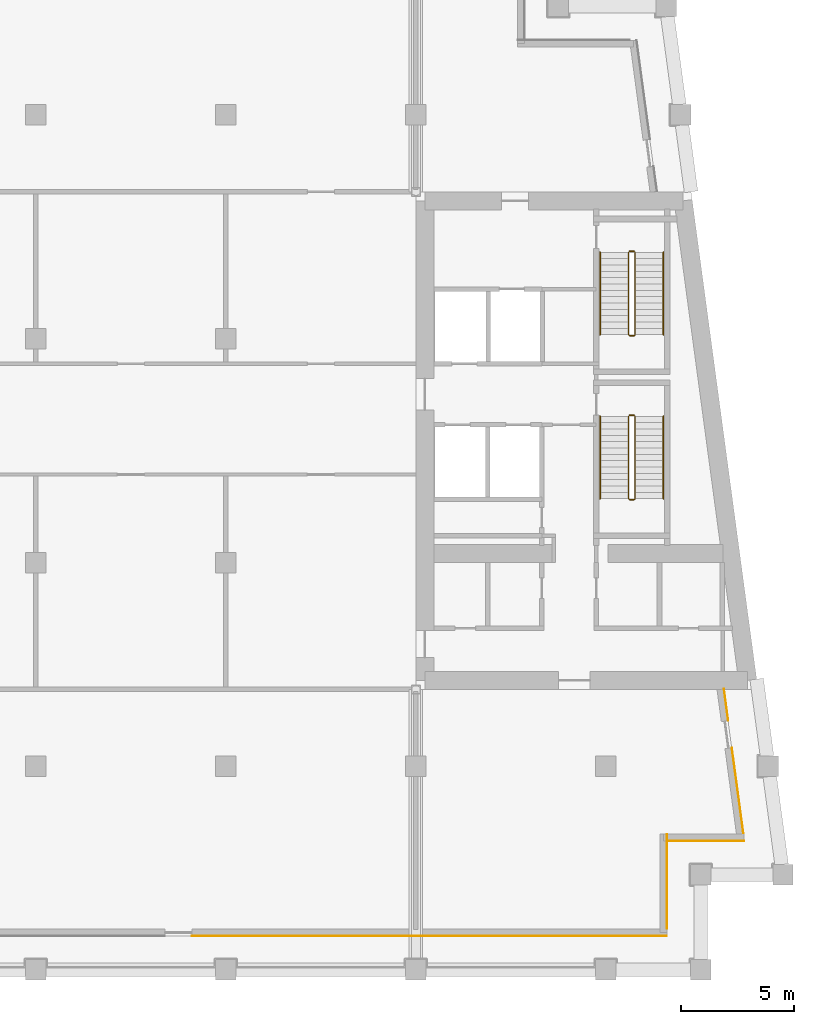
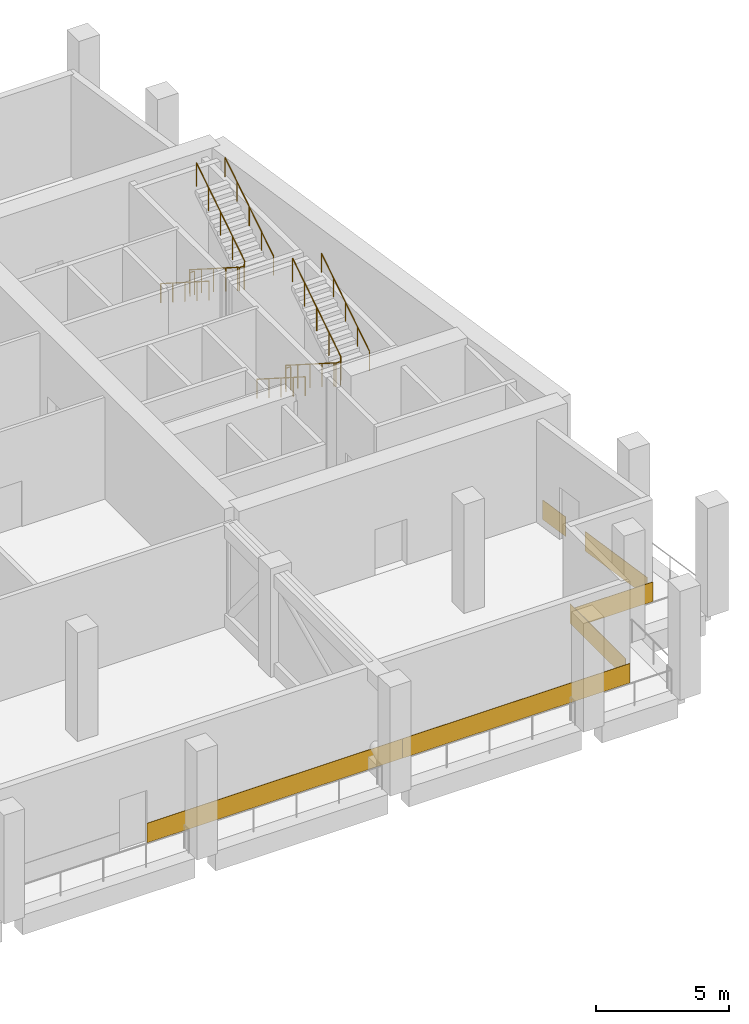
# One storey, part 10 of 11: 8 railings, 6 coverings.
"""IFC4 building model written with IfcOpenShell, lengths in metres."""

from ifc_helpers import new_model, si_unit, direction, frame, origin, origin_2d, place, context, subcontext, project, spatial, rectangle, circle, extrude, material, layer, layer_set, type_object, element, save


model = new_model("IFC4")

# Units and contexts
model_context = context("Model", 3, precision=1e-05, world=origin(), true_north=direction((0.0, 1.0)))
body_context = subcontext(model_context, "Body", "Model", "MODEL_VIEW")
ifc_project = project(units=[si_unit("LENGTHUNIT", "METRE"), si_unit("AREAUNIT", "SQUARE_METRE"), si_unit("VOLUMEUNIT", "CUBIC_METRE"), si_unit("PLANEANGLEUNIT", "RADIAN"), si_unit("MASSUNIT", "GRAM", prefix="KILO")], contexts=[model_context])

# Site, building, storey
site_placement = place(None, origin())
site = spatial("IfcSite", under=ifc_project, at=site_placement, CompositionType="ELEMENT")
building_placement = place(site_placement, origin())
building = spatial("IfcBuilding", under=site, at=building_placement, Name="Candeia Pilgrim Tower and Theatre", CompositionType="ELEMENT")
storey_placement = place(building_placement, frame((0.0, 0.0, 254.0)))
storey = spatial("IfcBuildingStorey", under=building, at=storey_placement, Name="L61", CompositionType="ELEMENT", Elevation=254.0)

# Coverings
ifc_material_1 = material(Name="Glazed ceramic tile bottle green")
ifc_layer_1 = layer(ifc_material_1, 0.02001953125)
ifc_layer_set_1 = layer_set([ifc_layer_1], Name="Glazed ceramic tile bottle green")
covering_type_1 = type_object("IfcCoveringType", Name="Glazed ceramic tile bottle green", PredefinedType="CLADDING", material=ifc_layer_set_1)
covering_1_placement = place(storey_placement, frame((132.14990234375, 99.489990234375, 0.0), z_axis=(0.0, 0.0, 1.0), x_axis=(1.0, 0.0, 0.0)))
element("IfcCovering", 1, at=covering_1_placement, inside=storey, type_object=covering_type_1, Name="Tile cladding bottle green L61", PredefinedType="CLADDING", context=body_context, shape_type="SweptSolid", body=[
    extrude(rectangle(XDim=9.89990234375, YDim=0.02001953125, at=origin_2d()), origin(), (0.0, 0.0, 1.0), 0.89990234375),
])
covering_2_placement = place(storey_placement, frame((137.110107421875, 101.909912109375, 0.0), z_axis=(0.0, 0.0, 1.0), x_axis=(0.0, 1.0, 0.0)))
element("IfcCovering", 2, at=covering_2_placement, inside=storey, type_object=covering_type_1, Name="Tile cladding bottle green L61", PredefinedType="CLADDING", context=body_context, shape_type="SweptSolid", body=[
    extrude(rectangle(XDim=4.179931640625, YDim=0.02001953125, at=origin_2d()), origin(), (0.0, 0.0, 1.0), 0.89990234375),
])
covering_3_placement = place(storey_placement, frame((138.819580078125, 103.68994140625, 0.0), z_axis=(0.0, 0.0, 1.0), x_axis=(1.0, 0.0, 0.0)))
element("IfcCovering", 3, at=covering_3_placement, inside=storey, type_object=covering_type_1, Name="Tile cladding bottle green L61", PredefinedType="CLADDING", context=body_context, shape_type="SweptSolid", body=[
    extrude(rectangle(XDim=3.399169921875, YDim=0.02001953125, at=origin_2d()), origin(), (0.0, 0.0, 1.0), 0.89990234375),
])
covering_4_placement = place(storey_placement, frame((140.228515625, 105.933349609375, 0.0), z_axis=(0.0, 0.0, 1.0), x_axis=(-0.133412012145, 0.991060661622, 0.0)))
element("IfcCovering", 4, at=covering_4_placement, inside=storey, type_object=covering_type_1, Name="Tile cladding bottle green L61", PredefinedType="CLADDING", context=body_context, shape_type="SweptSolid", body=[
    extrude(rectangle(XDim=3.821044921875, YDim=0.02001953125, at=origin_2d()), origin(), (0.0, 0.0, 1.0), 0.89990234375),
])
covering_5_placement = place(storey_placement, frame((139.718994140625, 109.71875, 0.0), z_axis=(0.0, 0.0, 1.0), x_axis=(-0.133412012145, 0.991060661622, 0.0)))
element("IfcCovering", 5, at=covering_5_placement, inside=storey, type_object=covering_type_1, Name="Tile cladding bottle green L61", PredefinedType="CLADDING", context=body_context, shape_type="SweptSolid", body=[
    extrude(rectangle(XDim=1.41796875, YDim=0.02001953125, at=origin_2d()), origin(), (0.0, 0.0, 1.0), 0.89990234375),
])
ifc_material_2 = material(Name="Glazed ceramic tile rust")
ifc_layer_2 = layer(ifc_material_2, 0.02001953125)
ifc_layer_set_2 = layer_set([ifc_layer_2], Name="Glazed ceramic tile rust")
covering_type_2 = type_object("IfcCoveringType", Name="Glazed ceramic tile rust", PredefinedType="CLADDING", material=ifc_layer_set_2)
covering_6_placement = place(storey_placement, frame((121.64990234375, 99.489990234375, 0.0), z_axis=(0.0, 0.0, 1.0), x_axis=(1.0, 0.0, 0.0)))
element("IfcCovering", 6, at=covering_6_placement, inside=storey, type_object=covering_type_2, Name="Tile cladding rust L61", PredefinedType="CLADDING", context=body_context, shape_type="SweptSolid", body=[
    extrude(rectangle(XDim=11.10009765625, YDim=0.02001953125, at=origin_2d()), origin(), (0.0, 0.0, 1.0), 0.89990234375),
])

# Railings
ifc_material_3 = material(Name="Stainless steel balustrade", Category="steel")
railing_type_1 = type_object("IfcRailingType", Name="RL-GUARD-1100", PredefinedType="GUARDRAIL", material=ifc_material_3)
railing_1_placement = place(storey_placement, frame((135.39794921875, 122.47509765625, 0.178466796875)))
element("IfcRailing", 7, at=railing_1_placement, inside=storey, type_object=railing_type_1, Name="L61 ST3 stair guard 1", PredefinedType="GUARDRAIL", context=body_context, shape_type="SweptSolid", body=[
    extrude(circle(Radius=0.02392578125, at=origin_2d()), frame((0.0, 0.0, 1.076171875), z_axis=(0.0, -0.843127859045, 0.537713132908), x_axis=(1.0, 0.0, 0.0)), (0.0, 0.0, 1.0), 4.3173828125),
    extrude(circle(Radius=0.02392578125, at=origin_2d()), frame((0.0, -3.64013671875, 3.3974609375), z_axis=(0.707106781187, -0.707106781187, 0.0), x_axis=(0.707106781187, 0.707106781187, 0.0)), (0.0, 0.0, 1.0), 0.07080078125),
    extrude(circle(Radius=0.02392578125, at=origin_2d()), frame((0.050048828125, -3.690185546875, 3.3974609375), z_axis=(1.0, 0.0, 0.0), x_axis=(0.0, 1.0, 0.0)), (0.0, 0.0, 1.0), 0.199951171875),
    extrude(circle(Radius=0.02392578125, at=origin_2d()), frame((0.25, -3.690185546875, 3.3974609375), z_axis=(0.260684529273, 0.260684529273, 0.929562882432), x_axis=(-0.707106781187, 0.707106781187, 0.0)), (0.0, 0.0, 1.0), 0.19189453125),
    extrude(circle(Radius=0.02392578125, at=origin_2d()), frame((0.300048828125, -3.64013671875, 3.576171875), z_axis=(0.0, 0.843127859045, 0.537713132908), x_axis=(-1.0, 0.0, 0.0)), (0.0, 0.0, 1.0), 4.3173828125),
    extrude(circle(Radius=0.02099609375, at=origin_2d()), origin(), (0.0, 0.0, 1.0), 1.052001953125),
    extrude(circle(Radius=0.02099609375, at=origin_2d()), frame((0.0, -0.91015625, 0.580322265625)), (0.0, 0.0, 1.0), 1.052001953125),
    extrude(circle(Radius=0.02099609375, at=origin_2d()), frame((0.0, -1.820068359375, 1.16064453125)), (0.0, 0.0, 1.0), 1.052001953125),
    extrude(circle(Radius=0.02099609375, at=origin_2d()), frame((0.0, -2.72998046875, 1.7412109375)), (0.0, 0.0, 1.0), 1.052001953125),
    extrude(circle(Radius=0.02099609375, at=origin_2d()), frame((0.0, -3.64013671875, 2.321533203125)), (0.0, 0.0, 1.0), 1.052001953125),
    extrude(circle(Radius=0.02099609375, at=origin_2d()), frame((0.050048828125, -3.690185546875, 2.321533203125)), (0.0, 0.0, 1.0), 1.052001953125),
    extrude(circle(Radius=0.02099609375, at=origin_2d()), frame((0.25, -3.690185546875, 2.321533203125)), (0.0, 0.0, 1.0), 1.052001953125),
    extrude(circle(Radius=0.02099609375, at=origin_2d()), frame((0.300048828125, -3.64013671875, 2.5)), (0.0, 0.0, 1.0), 1.052001953125),
    extrude(circle(Radius=0.02099609375, at=origin_2d()), frame((0.300048828125, -2.72998046875, 3.080322265625)), (0.0, 0.0, 1.0), 1.052001953125),
    extrude(circle(Radius=0.02099609375, at=origin_2d()), frame((0.300048828125, -1.820068359375, 3.66064453125)), (0.0, 0.0, 1.0), 1.052001953125),
    extrude(circle(Radius=0.02099609375, at=origin_2d()), frame((0.300048828125, -0.91015625, 4.2412109375)), (0.0, 0.0, 1.0), 1.052001953125),
    extrude(circle(Radius=0.02099609375, at=origin_2d()), frame((0.300048828125, 0.0, 4.821533203125)), (0.0, 0.0, 1.0), 1.052001953125),
])
railing_2_placement = place(storey_placement, frame((135.447998046875, 122.52490234375, 0.0)))
element("IfcRailing", 8, at=railing_2_placement, inside=storey, type_object=railing_type_1, Name="L61 ST3 stair guard 2", PredefinedType="GUARDRAIL", context=body_context, shape_type="SweptSolid", body=[
    extrude(circle(Radius=0.02392578125, at=origin_2d()), frame((0.0, 0.0, 1.076171875), z_axis=(1.0, 0.0, 0.0), x_axis=(0.0, 1.0, 0.0)), (0.0, 0.0, 1.0), 0.199951171875),
    extrude(circle(Radius=0.02099609375, at=origin_2d()), origin(), (0.0, 0.0, 1.0), 1.052001953125),
    extrude(circle(Radius=0.02099609375, at=origin_2d()), frame((0.199951171875, 0.0, 0.0)), (0.0, 0.0, 1.0), 1.052001953125),
])
railing_3_placement = place(storey_placement, frame((135.39794921875, 129.72509765625, 0.178466796875)))
element("IfcRailing", 9, at=railing_3_placement, inside=storey, type_object=railing_type_1, Name="L61 ST4 stair guard 1", PredefinedType="GUARDRAIL", context=body_context, shape_type="SweptSolid", body=[
    extrude(circle(Radius=0.02392578125, at=origin_2d()), frame((0.0, 0.0, 1.076171875), z_axis=(0.0, -0.843127859045, 0.537713132908), x_axis=(1.0, 0.0, 0.0)), (0.0, 0.0, 1.0), 4.3173828125),
    extrude(circle(Radius=0.02392578125, at=origin_2d()), frame((0.0, -3.64013671875, 3.3974609375), z_axis=(0.707106781187, -0.707106781187, 0.0), x_axis=(0.707106781187, 0.707106781187, 0.0)), (0.0, 0.0, 1.0), 0.07080078125),
    extrude(circle(Radius=0.02392578125, at=origin_2d()), frame((0.050048828125, -3.690185546875, 3.3974609375), z_axis=(1.0, 0.0, 0.0), x_axis=(0.0, 1.0, 0.0)), (0.0, 0.0, 1.0), 0.199951171875),
    extrude(circle(Radius=0.02392578125, at=origin_2d()), frame((0.25, -3.690185546875, 3.3974609375), z_axis=(0.260684529273, 0.260684529273, 0.929562882432), x_axis=(-0.707106781187, 0.707106781187, 0.0)), (0.0, 0.0, 1.0), 0.19189453125),
    extrude(circle(Radius=0.02392578125, at=origin_2d()), frame((0.300048828125, -3.64013671875, 3.576171875), z_axis=(0.0, 0.843127859045, 0.537713132908), x_axis=(-1.0, 0.0, 0.0)), (0.0, 0.0, 1.0), 4.3173828125),
    extrude(circle(Radius=0.02099609375, at=origin_2d()), origin(), (0.0, 0.0, 1.0), 1.052001953125),
    extrude(circle(Radius=0.02099609375, at=origin_2d()), frame((0.0, -0.91015625, 0.580322265625)), (0.0, 0.0, 1.0), 1.052001953125),
    extrude(circle(Radius=0.02099609375, at=origin_2d()), frame((0.0, -1.820068359375, 1.16064453125)), (0.0, 0.0, 1.0), 1.052001953125),
    extrude(circle(Radius=0.02099609375, at=origin_2d()), frame((0.0, -2.72998046875, 1.7412109375)), (0.0, 0.0, 1.0), 1.052001953125),
    extrude(circle(Radius=0.02099609375, at=origin_2d()), frame((0.0, -3.64013671875, 2.321533203125)), (0.0, 0.0, 1.0), 1.052001953125),
    extrude(circle(Radius=0.02099609375, at=origin_2d()), frame((0.050048828125, -3.690185546875, 2.321533203125)), (0.0, 0.0, 1.0), 1.052001953125),
    extrude(circle(Radius=0.02099609375, at=origin_2d()), frame((0.25, -3.690185546875, 2.321533203125)), (0.0, 0.0, 1.0), 1.052001953125),
    extrude(circle(Radius=0.02099609375, at=origin_2d()), frame((0.300048828125, -3.64013671875, 2.5)), (0.0, 0.0, 1.0), 1.052001953125),
    extrude(circle(Radius=0.02099609375, at=origin_2d()), frame((0.300048828125, -2.72998046875, 3.080322265625)), (0.0, 0.0, 1.0), 1.052001953125),
    extrude(circle(Radius=0.02099609375, at=origin_2d()), frame((0.300048828125, -1.820068359375, 3.66064453125)), (0.0, 0.0, 1.0), 1.052001953125),
    extrude(circle(Radius=0.02099609375, at=origin_2d()), frame((0.300048828125, -0.91015625, 4.2412109375)), (0.0, 0.0, 1.0), 1.052001953125),
    extrude(circle(Radius=0.02099609375, at=origin_2d()), frame((0.300048828125, 0.0, 4.821533203125)), (0.0, 0.0, 1.0), 1.052001953125),
])
railing_4_placement = place(storey_placement, frame((135.447998046875, 129.77490234375, 0.0)))
element("IfcRailing", 10, at=railing_4_placement, inside=storey, type_object=railing_type_1, Name="L61 ST4 stair guard 2", PredefinedType="GUARDRAIL", context=body_context, shape_type="SweptSolid", body=[
    extrude(circle(Radius=0.02392578125, at=origin_2d()), frame((0.0, 0.0, 1.076171875), z_axis=(1.0, 0.0, 0.0), x_axis=(0.0, 1.0, 0.0)), (0.0, 0.0, 1.0), 0.199951171875),
    extrude(circle(Radius=0.02099609375, at=origin_2d()), origin(), (0.0, 0.0, 1.0), 1.052001953125),
    extrude(circle(Radius=0.02099609375, at=origin_2d()), frame((0.199951171875, 0.0, 0.0)), (0.0, 0.0, 1.0), 1.052001953125),
])
ifc_material_4 = material(Name="Stainless steel handrail", Category="steel")
railing_type_2 = type_object("IfcRailingType", Name="RL-HANDRAIL-900", PredefinedType="HANDRAIL", material=ifc_material_4)
railing_5_placement = place(storey_placement, frame((134.14794921875, 122.47509765625, 0.178466796875)))
element("IfcRailing", 11, at=railing_5_placement, inside=storey, type_object=railing_type_2, Name="L61 ST3 stair handrail 1", PredefinedType="HANDRAIL", context=body_context, shape_type="SweptSolid", body=[
    extrude(circle(Radius=0.02392578125, at=origin_2d()), frame((0.0, 0.0, 0.8759765625), z_axis=(0.0, -0.843127859045, 0.537713132908), x_axis=(1.0, 0.0, 0.0)), (0.0, 0.0, 1.0), 4.3173828125),
    extrude(circle(Radius=0.02099609375, at=origin_2d()), origin(), (0.0, 0.0, 1.0), 0.851806640625),
    extrude(circle(Radius=0.02099609375, at=origin_2d()), frame((0.0, -0.91015625, 0.580322265625)), (0.0, 0.0, 1.0), 0.851806640625),
    extrude(circle(Radius=0.02099609375, at=origin_2d()), frame((0.0, -1.820068359375, 1.16064453125)), (0.0, 0.0, 1.0), 0.851806640625),
    extrude(circle(Radius=0.02099609375, at=origin_2d()), frame((0.0, -2.72998046875, 1.7412109375)), (0.0, 0.0, 1.0), 0.851806640625),
    extrude(circle(Radius=0.02099609375, at=origin_2d()), frame((0.0, -3.64013671875, 2.321533203125)), (0.0, 0.0, 1.0), 0.851806640625),
])
railing_6_placement = place(storey_placement, frame((136.947998046875, 118.8349609375, 2.678466796875)))
element("IfcRailing", 12, at=railing_6_placement, inside=storey, type_object=railing_type_2, Name="L61 ST3 stair handrail 2", PredefinedType="HANDRAIL", context=body_context, shape_type="SweptSolid", body=[
    extrude(circle(Radius=0.02392578125, at=origin_2d()), frame((0.0, 0.0, 0.8759765625), z_axis=(0.0, 0.843127859045, 0.537713132908), x_axis=(-1.0, 0.0, 0.0)), (0.0, 0.0, 1.0), 4.3173828125),
    extrude(circle(Radius=0.02099609375, at=origin_2d()), origin(), (0.0, 0.0, 1.0), 0.851806640625),
    extrude(circle(Radius=0.02099609375, at=origin_2d()), frame((0.0, 0.91015625, 0.580322265625)), (0.0, 0.0, 1.0), 0.851806640625),
    extrude(circle(Radius=0.02099609375, at=origin_2d()), frame((0.0, 1.820068359375, 1.16064453125)), (0.0, 0.0, 1.0), 0.851806640625),
    extrude(circle(Radius=0.02099609375, at=origin_2d()), frame((0.0, 2.72998046875, 1.7412109375)), (0.0, 0.0, 1.0), 0.851806640625),
    extrude(circle(Radius=0.02099609375, at=origin_2d()), frame((0.0, 3.64013671875, 2.321533203125)), (0.0, 0.0, 1.0), 0.851806640625),
])
railing_7_placement = place(storey_placement, frame((134.14794921875, 129.72509765625, 0.178466796875)))
element("IfcRailing", 13, at=railing_7_placement, inside=storey, type_object=railing_type_2, Name="L61 ST4 stair handrail 1", PredefinedType="HANDRAIL", context=body_context, shape_type="SweptSolid", body=[
    extrude(circle(Radius=0.02392578125, at=origin_2d()), frame((0.0, 0.0, 0.8759765625), z_axis=(0.0, -0.843127859045, 0.537713132908), x_axis=(1.0, 0.0, 0.0)), (0.0, 0.0, 1.0), 4.3173828125),
    extrude(circle(Radius=0.02099609375, at=origin_2d()), origin(), (0.0, 0.0, 1.0), 0.851806640625),
    extrude(circle(Radius=0.02099609375, at=origin_2d()), frame((0.0, -0.91015625, 0.580322265625)), (0.0, 0.0, 1.0), 0.851806640625),
    extrude(circle(Radius=0.02099609375, at=origin_2d()), frame((0.0, -1.820068359375, 1.16064453125)), (0.0, 0.0, 1.0), 0.851806640625),
    extrude(circle(Radius=0.02099609375, at=origin_2d()), frame((0.0, -2.72998046875, 1.7412109375)), (0.0, 0.0, 1.0), 0.851806640625),
    extrude(circle(Radius=0.02099609375, at=origin_2d()), frame((0.0, -3.64013671875, 2.321533203125)), (0.0, 0.0, 1.0), 0.851806640625),
])
railing_8_placement = place(storey_placement, frame((136.947998046875, 126.0849609375, 2.678466796875)))
element("IfcRailing", 14, at=railing_8_placement, inside=storey, type_object=railing_type_2, Name="L61 ST4 stair handrail 2", PredefinedType="HANDRAIL", context=body_context, shape_type="SweptSolid", body=[
    extrude(circle(Radius=0.02392578125, at=origin_2d()), frame((0.0, 0.0, 0.8759765625), z_axis=(0.0, 0.843127859045, 0.537713132908), x_axis=(-1.0, 0.0, 0.0)), (0.0, 0.0, 1.0), 4.3173828125),
    extrude(circle(Radius=0.02099609375, at=origin_2d()), origin(), (0.0, 0.0, 1.0), 0.851806640625),
    extrude(circle(Radius=0.02099609375, at=origin_2d()), frame((0.0, 0.91015625, 0.580322265625)), (0.0, 0.0, 1.0), 0.851806640625),
    extrude(circle(Radius=0.02099609375, at=origin_2d()), frame((0.0, 1.820068359375, 1.16064453125)), (0.0, 0.0, 1.0), 0.851806640625),
    extrude(circle(Radius=0.02099609375, at=origin_2d()), frame((0.0, 2.72998046875, 1.7412109375)), (0.0, 0.0, 1.0), 0.851806640625),
    extrude(circle(Radius=0.02099609375, at=origin_2d()), frame((0.0, 3.64013671875, 2.321533203125)), (0.0, 0.0, 1.0), 0.851806640625),
])

save(model, "model.ifc")
